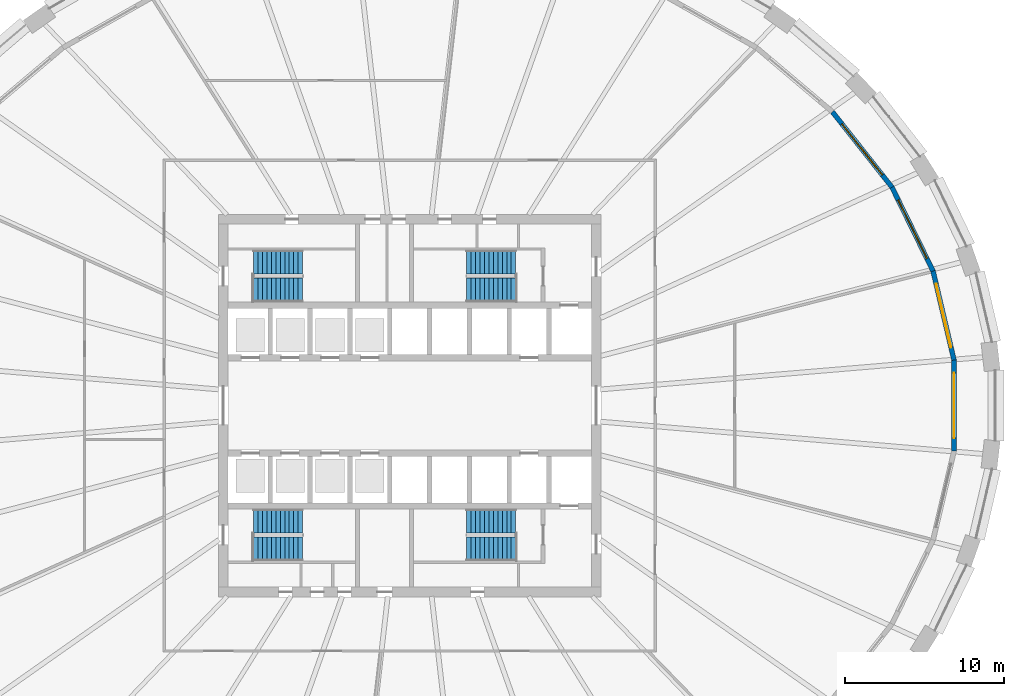
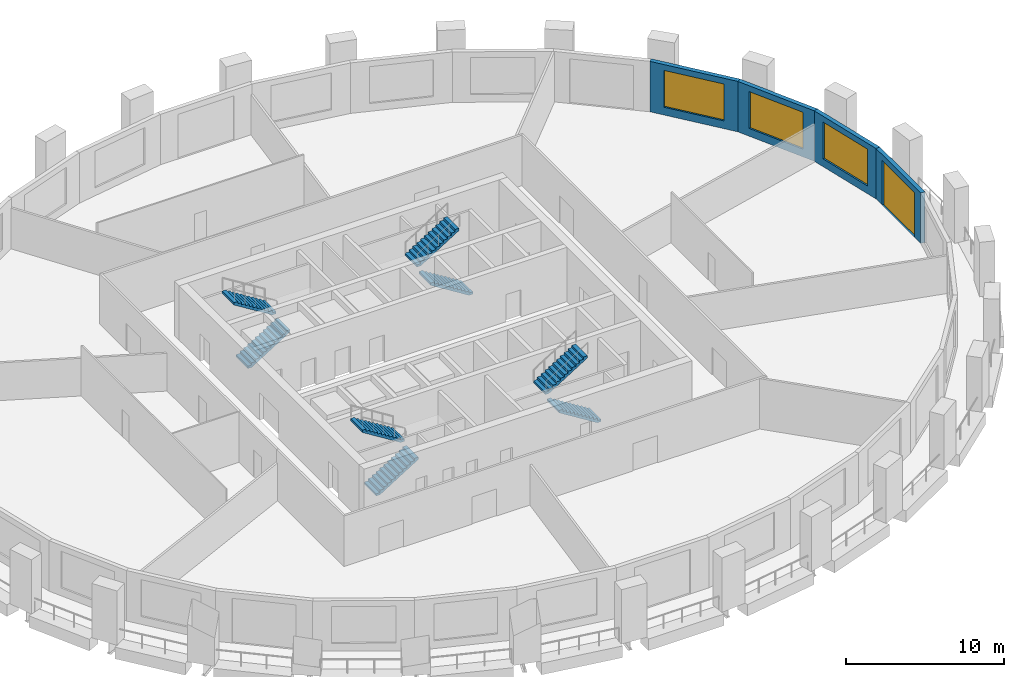
# One storey, part 7 of 10: 8 stair flights, 4 walls, 3 windows, 1 door, 4 openings, 4 elements without a shape of their own.
"""IFC4 building model written with IfcOpenShell, lengths in metres."""

from ifc_helpers import new_model, si_unit, direction, frame, frame_2d, origin, place, context, subcontext, project, spatial, polyline, rectangle, outline, extrude, material, layer, layer_set, type_object, element, fill, aggregate, save


model = new_model("IFC4")

# Units and contexts
model_context = context("Model", 3, precision=1e-05, world=origin(), true_north=direction((0.0, 1.0)))
body_context = subcontext(model_context, "Body", "Model", "MODEL_VIEW")
ifc_project = project(units=[si_unit("LENGTHUNIT", "METRE"), si_unit("AREAUNIT", "SQUARE_METRE"), si_unit("VOLUMEUNIT", "CUBIC_METRE"), si_unit("PLANEANGLEUNIT", "RADIAN"), si_unit("MASSUNIT", "GRAM", prefix="KILO")], contexts=[model_context])

# Site, building, storey
site_placement = place(None, origin())
site = spatial("IfcSite", under=ifc_project, at=site_placement, CompositionType="ELEMENT")
building_placement = place(site_placement, origin())
building = spatial("IfcBuilding", under=site, at=building_placement, Name="Halqa Exchange Tower", CompositionType="ELEMENT")
storey_placement = place(building_placement, frame((0.0, 0.0, 69.699951171875)))
storey = spatial("IfcBuildingStorey", under=building, at=storey_placement, Name="L15", CompositionType="ELEMENT", Elevation=69.699951171875)

# Wall, opening, window
ifc_material_1 = material(Name="Limestone cladding", Category="masonry")
ifc_layer_1 = layer(ifc_material_1, 0.0400390625)
ifc_material_2 = material(Name="Ventilated cavity")
ifc_layer_2 = layer(ifc_material_2, 0.030029296875, ventilated=True)
ifc_material_3 = material(Name="Mineral wool insulation")
ifc_layer_3 = layer(ifc_material_3, 0.10009765625)
ifc_material_4 = material(Name="Concrete C30/37", Category="concrete")
ifc_layer_4 = layer(ifc_material_4, 0.10009765625)
ifc_material_5 = material(Name="Internal plaster")
ifc_layer_5 = layer(ifc_material_5, 0.030029296875)
ifc_layer_set = layer_set([ifc_layer_1, ifc_layer_2, ifc_layer_3, ifc_layer_4, ifc_layer_5], Name="Stone-faced insulated wall 300")
wall_type = type_object("IfcWallType", Name="Stone-faced insulated wall 300", PredefinedType="STANDARD", material=ifc_layer_set)
wall_1_placement = place(storey_placement, frame((34.1591796875, 2.849365234375, 0.0), z_axis=(0.0, 0.0, 1.0), x_axis=(-0.22905355604, 0.973413821797, 0.0)))
wall_1 = element("IfcWall", 1, at=wall_1_placement, inside=storey, type_object=wall_type, Name="Glass-line wall 1", PredefinedType="STANDARD", context=body_context, shape_type="SweptSolid", body=[
    extrude(outline(polyline([(-0.017333984375, -0.14990234375), (5.757568359375, -0.14990234375), (5.723876953125, 0.14990234375), (0.017333984375, 0.14990234375), (-0.017333984375, -0.14990234375)])), origin(), (0.0, 0.0, 1.0), 3.900146484375),
])
opening_1_placement = place(wall_1_placement, frame((0.8203125, 0.0, 0.60009765625)))
opening_1 = element("IfcOpeningElement", 2, at=opening_1_placement, cuts=wall_1, Name="Opening W-F1-01", PredefinedType="OPENING", context=body_context, shape_type="SweptSolid", body=[
    extrude(rectangle(XDim=4.10009765625, YDim=2.85009765625, at=frame_2d((2.050048828125, 1.425048828125))), frame((0.0, 0.162109375, 0.0), z_axis=(0.0, -1.0, 0.0), x_axis=(1.0, 0.0, 0.0)), (0.0, 0.0, 1.0), 0.323974609375),
])
ifc_material_6 = material(Name="Clear low-emissivity glass in aluminium frame", Category="aluminium")
window_type = type_object("IfcWindowType", Name="Fixed clear glazed window 4100 x 2850", PartitioningType="TRIPLE_PANEL_VERTICAL", PredefinedType="WINDOW", material=ifc_material_6)
window_1_placement = place(opening_1_placement, origin())
window_1 = element("IfcWindow", 3, at=window_1_placement, inside=storey, type_object=window_type, Name="Window 1", OverallHeight=2.85009765625, OverallWidth=4.10009765625, PartitioningType="TRIPLE_PANEL_VERTICAL", PredefinedType="WINDOW", context=body_context, shape_type="SweptSolid", body=[
    extrude(rectangle(XDim=4.10009765625, YDim=2.85009765625, at=frame_2d((2.050048828125, 1.425048828125))), frame((0.0, 0.030029296875, 0.0), z_axis=(0.0, -1.0, 0.0), x_axis=(1.0, 0.0, 0.0)), (0.0, 0.0, 1.0), 0.06005859375),
])
fill(opening_1, window_1)

wall_2_placement = place(storey_placement, frame((32.84423828125, 8.4375, 0.0), z_axis=(0.0, 0.0, 1.0), x_axis=(-0.439949735177, 0.898022399786, 0.0)))
wall_2 = element("IfcWall", 4, at=wall_2_placement, inside=storey, type_object=wall_type, Name="Glass-line wall 2", PredefinedType="STANDARD", context=body_context, shape_type="SweptSolid", body=[
    extrude(outline(polyline([(-0.016845703125, -0.14990234375), (5.876220703125, -0.14990234375), (5.843994140625, 0.14990234375), (0.016845703125, 0.14990234375), (-0.016845703125, -0.14990234375)])), origin(), (0.0, 0.0, 1.0), 3.900146484375),
])
opening_2_placement = place(wall_2_placement, frame((0.8798828125, 0.0, 0.60009765625)))
opening_2 = element("IfcOpeningElement", 5, at=opening_2_placement, cuts=wall_2, Name="Opening W-F1-02", PredefinedType="OPENING", context=body_context, shape_type="SweptSolid", body=[
    extrude(rectangle(XDim=4.10009765625, YDim=2.85009765625, at=frame_2d((2.050048828125, 1.425048828125))), frame((0.0, 0.162109375, 0.0), z_axis=(0.0, -1.0, 0.0), x_axis=(1.0, 0.0, 0.0)), (0.0, 0.0, 1.0), 0.323974609375),
])
window_2_placement = place(opening_2_placement, origin())
window_2 = element("IfcWindow", 6, at=window_2_placement, inside=storey, type_object=window_type, Name="Window 1", OverallHeight=2.85009765625, OverallWidth=4.10009765625, PartitioningType="TRIPLE_PANEL_VERTICAL", PredefinedType="WINDOW", context=body_context, shape_type="SweptSolid", body=[
    extrude(rectangle(XDim=4.10009765625, YDim=2.85009765625, at=frame_2d((2.050048828125, 1.425048828125))), frame((0.0, 0.030029296875, 0.0), z_axis=(0.0, -1.0, 0.0), x_axis=(1.0, 0.0, 0.0)), (0.0, 0.0, 1.0), 0.06005859375),
])
fill(opening_2, window_2)

wall_3_placement = place(storey_placement, frame((30.26611328125, 13.699951171875, 0.0), z_axis=(0.0, 0.0, 1.0), x_axis=(-0.620065339223, 0.784550173727, 0.0)))
wall_3 = element("IfcWall", 7, at=wall_3_placement, inside=storey, type_object=wall_type, Name="Glass-line wall 3", PredefinedType="STANDARD", context=body_context, shape_type="SweptSolid", body=[
    extrude(outline(polyline([(-0.01611328125, -0.14990234375), (6.048828125, -0.14990234375), (6.0185546875, 0.14990234375), (0.01611328125, 0.14990234375), (-0.01611328125, -0.14990234375)])), origin(), (0.0, 0.0, 1.0), 3.900146484375),
])
opening_3_placement = place(wall_3_placement, frame((0.966796875, 0.0, 0.60009765625)))
opening_3 = element("IfcOpeningElement", 8, at=opening_3_placement, cuts=wall_3, Name="Opening W-F1-03", PredefinedType="OPENING", context=body_context, shape_type="SweptSolid", body=[
    extrude(rectangle(XDim=4.10009765625, YDim=2.85009765625, at=frame_2d((2.050048828125, 1.425048828125))), frame((0.0, 0.162109375, 0.0), z_axis=(0.0, -1.0, 0.0), x_axis=(1.0, 0.0, 0.0)), (0.0, 0.0, 1.0), 0.323974609375),
])
window_3_placement = place(opening_3_placement, origin())
window_3 = element("IfcWindow", 9, at=window_3_placement, inside=storey, type_object=window_type, Name="Window 1", OverallHeight=2.85009765625, OverallWidth=4.10009765625, PartitioningType="TRIPLE_PANEL_VERTICAL", PredefinedType="WINDOW", context=body_context, shape_type="SweptSolid", body=[
    extrude(rectangle(XDim=4.10009765625, YDim=2.85009765625, at=frame_2d((2.050048828125, 1.425048828125))), frame((0.0, 0.030029296875, 0.0), z_axis=(0.0, -1.0, 0.0), x_axis=(1.0, 0.0, 0.0)), (0.0, 0.0, 1.0), 0.06005859375),
])
fill(opening_3, window_3)

# Wall, opening, door
wall_4_placement = place(storey_placement, frame((34.1591796875, -2.849365234375, 0.0), z_axis=(0.0, 0.0, 1.0), x_axis=(0.0, 1.0, 0.0)))
wall_4 = element("IfcWall", 10, at=wall_4_placement, inside=storey, type_object=wall_type, Name="Glass-line wall 32", PredefinedType="STANDARD", context=body_context, shape_type="SweptSolid", body=[
    extrude(outline(polyline([(-0.017333984375, -0.14990234375), (5.716064453125, -0.14990234375), (5.681396484375, 0.14990234375), (0.017333984375, 0.14990234375), (-0.017333984375, -0.14990234375)])), origin(), (0.0, 0.0, 1.0), 3.900146484375),
])
opening_4_placement = place(wall_4_placement, frame((0.79931640625, 0.0, 0.0)))
opening_4 = element("IfcOpeningElement", 11, at=opening_4_placement, cuts=wall_4, Name="Opening LG-F1-08", PredefinedType="OPENING", context=body_context, shape_type="SweptSolid", body=[
    extrude(rectangle(XDim=4.10009765625, YDim=3.449951171875, at=frame_2d((2.050048828125, 1.72509765625))), frame((0.0, 0.162109375, 0.0), z_axis=(0.0, -1.0, 0.0), x_axis=(1.0, 0.0, 0.0)), (0.0, 0.0, 1.0), 0.323974609375),
])
door_type = type_object("IfcDoorType", Name="Glazed sliding loggia door 4100 x 3450", OperationType="DOUBLE_DOOR_SLIDING", PredefinedType="DOOR", material=ifc_material_6)
door_placement = place(opening_4_placement, origin())
door = element("IfcDoor", 12, at=door_placement, inside=storey, type_object=door_type, Name="Loggia door 8", OperationType="DOUBLE_DOOR_SLIDING", OverallHeight=3.449951171875, OverallWidth=4.10009765625, PredefinedType="DOOR", context=body_context, shape_type="SweptSolid", body=[
    extrude(rectangle(XDim=4.10009765625, YDim=3.449951171875, at=frame_2d((2.050048828125, 1.72509765625))), frame((0.0, 0.02490234375, 0.0), z_axis=(0.0, -1.0, 0.0), x_axis=(1.0, 0.0, 0.0)), (0.0, 0.0, 1.0), 0.050048828125),
])
fill(opening_4, door)

# Stair, stair flights
stair_type = type_object("IfcStairType", Name="Exit stair 1500 wide", PredefinedType="HALF_TURN_STAIR", material=ifc_material_4)
stair_1_placement = place(storey_placement, origin())
stair_1 = element("IfcStair", 13, at=stair_1_placement, inside=storey, type_object=stair_type, Name="Exit stair ST1", PredefinedType="HALF_TURN_STAIR")
stair_flight_type = type_object("IfcStairFlightType", Name="Stair flight 1500 wide", PredefinedType="STRAIGHT", material=ifc_material_4)
stair_flight_1_placement = place(storey_placement, frame((-9.800048828125, 7.25, 0.0), z_axis=(0.0, 0.0, 1.0), x_axis=(1.0, 0.0, 0.0)))
stair_flight_1 = element("IfcStairFlight", 14, at=stair_flight_1_placement, type_object=stair_flight_type, Name="ST1 flight 1", NumberOfRisers=12, NumberOfTreads=11, PredefinedType="STRAIGHT", RiserHeight=0.175, TreadLength=0.28, context=body_context, shape_type="SweptSolid", body=[
    extrude(outline(polyline([(0.0, 0.0), (0.0, 0.175048828125), (0.280029296875, 0.175048828125), (0.280029296875, 0.35009765625), (0.56005859375, 0.35009765625), (0.56005859375, 0.52490234375), (0.840087890625, 0.52490234375), (0.840087890625, 0.699951171875), (1.1201171875, 0.699951171875), (1.1201171875, 0.875), (1.39990234375, 0.875), (1.39990234375, 1.050048828125), (1.679931640625, 1.050048828125), (1.679931640625, 1.22509765625), (1.9599609375, 1.22509765625), (1.9599609375, 1.39990234375), (2.239990234375, 1.39990234375), (2.239990234375, 1.574951171875), (2.52001953125, 1.574951171875), (2.52001953125, 1.75), (2.800048828125, 1.75), (2.800048828125, 1.925048828125), (3.080078125, 1.925048828125), (3.080078125, 2.10009765625), (3.080078125, 1.748291015625), (0.28271484375, 0.0), (0.0, 0.0)])), frame((0.0, 0.75, 0.0), z_axis=(0.0, -1.0, 0.0), x_axis=(1.0, 0.0, 0.0)), (0.0, 0.0, 1.0), 1.5),
])
stair_flight_2_placement = place(storey_placement, frame((-6.719970703125, 9.0, 2.10009765625), z_axis=(0.0, 0.0, 1.0), x_axis=(-1.0, 0.0, 0.0)))
stair_flight_2 = element("IfcStairFlight", 15, at=stair_flight_2_placement, type_object=stair_flight_type, Name="ST1 flight 2", NumberOfRisers=12, NumberOfTreads=11, PredefinedType="STRAIGHT", RiserHeight=0.175, TreadLength=0.28, context=body_context, shape_type="SweptSolid", body=[
    extrude(outline(polyline([(0.0, 0.0), (0.0, 0.175048828125), (0.280029296875, 0.175048828125), (0.280029296875, 0.35009765625), (0.56005859375, 0.35009765625), (0.56005859375, 0.52490234375), (0.840087890625, 0.52490234375), (0.840087890625, 0.699951171875), (1.1201171875, 0.699951171875), (1.1201171875, 0.875), (1.39990234375, 0.875), (1.39990234375, 1.050048828125), (1.679931640625, 1.050048828125), (1.679931640625, 1.22509765625), (1.9599609375, 1.22509765625), (1.9599609375, 1.39990234375), (2.239990234375, 1.39990234375), (2.239990234375, 1.574951171875), (2.52001953125, 1.574951171875), (2.52001953125, 1.75), (2.800048828125, 1.75), (2.800048828125, 1.925048828125), (3.080078125, 1.925048828125), (3.080078125, 2.10009765625), (3.080078125, 1.748291015625), (0.28271484375, 0.0), (0.0, 0.0)])), frame((0.0, 0.75, 0.0), z_axis=(0.0, -1.0, 0.0), x_axis=(1.0, 0.0, 0.0)), (0.0, 0.0, 1.0), 1.5),
])
aggregate(stair_1, [stair_flight_1, stair_flight_2])

stair_2_placement = place(storey_placement, origin())
stair_2 = element("IfcStair", 16, at=stair_2_placement, inside=storey, type_object=stair_type, Name="Exit stair ST2", PredefinedType="HALF_TURN_STAIR")
stair_flight_3_placement = place(storey_placement, frame((6.64990234375, 7.25, 0.0), z_axis=(0.0, 0.0, 1.0), x_axis=(-1.0, 0.0, 0.0)))
stair_flight_3 = element("IfcStairFlight", 17, at=stair_flight_3_placement, type_object=stair_flight_type, Name="ST2 flight 1", NumberOfRisers=12, NumberOfTreads=11, PredefinedType="STRAIGHT", RiserHeight=0.175, TreadLength=0.28, context=body_context, shape_type="SweptSolid", body=[
    extrude(outline(polyline([(0.0, 0.0), (0.0, 0.175048828125), (0.280029296875, 0.175048828125), (0.280029296875, 0.35009765625), (0.56005859375, 0.35009765625), (0.56005859375, 0.52490234375), (0.840087890625, 0.52490234375), (0.840087890625, 0.699951171875), (1.1201171875, 0.699951171875), (1.1201171875, 0.875), (1.39990234375, 0.875), (1.39990234375, 1.050048828125), (1.679931640625, 1.050048828125), (1.679931640625, 1.22509765625), (1.9599609375, 1.22509765625), (1.9599609375, 1.39990234375), (2.239990234375, 1.39990234375), (2.239990234375, 1.574951171875), (2.52001953125, 1.574951171875), (2.52001953125, 1.75), (2.800048828125, 1.75), (2.800048828125, 1.925048828125), (3.080078125, 1.925048828125), (3.080078125, 2.10009765625), (3.080078125, 1.748291015625), (0.28271484375, 0.0), (0.0, 0.0)])), frame((0.0, 0.75, 0.0), z_axis=(0.0, -1.0, 0.0), x_axis=(1.0, 0.0, 0.0)), (0.0, 0.0, 1.0), 1.5),
])
stair_flight_4_placement = place(storey_placement, frame((3.570068359375, 9.0, 2.10009765625), z_axis=(0.0, 0.0, 1.0), x_axis=(1.0, 0.0, 0.0)))
stair_flight_4 = element("IfcStairFlight", 18, at=stair_flight_4_placement, type_object=stair_flight_type, Name="ST2 flight 2", NumberOfRisers=12, NumberOfTreads=11, PredefinedType="STRAIGHT", RiserHeight=0.175, TreadLength=0.28, context=body_context, shape_type="SweptSolid", body=[
    extrude(outline(polyline([(0.0, 0.0), (0.0, 0.175048828125), (0.280029296875, 0.175048828125), (0.280029296875, 0.35009765625), (0.56005859375, 0.35009765625), (0.56005859375, 0.52490234375), (0.840087890625, 0.52490234375), (0.840087890625, 0.699951171875), (1.1201171875, 0.699951171875), (1.1201171875, 0.875), (1.39990234375, 0.875), (1.39990234375, 1.050048828125), (1.679931640625, 1.050048828125), (1.679931640625, 1.22509765625), (1.9599609375, 1.22509765625), (1.9599609375, 1.39990234375), (2.239990234375, 1.39990234375), (2.239990234375, 1.574951171875), (2.52001953125, 1.574951171875), (2.52001953125, 1.75), (2.800048828125, 1.75), (2.800048828125, 1.925048828125), (3.080078125, 1.925048828125), (3.080078125, 2.10009765625), (3.080078125, 1.748291015625), (0.28271484375, 0.0), (0.0, 0.0)])), frame((0.0, 0.75, 0.0), z_axis=(0.0, -1.0, 0.0), x_axis=(1.0, 0.0, 0.0)), (0.0, 0.0, 1.0), 1.5),
])
aggregate(stair_2, [stair_flight_3, stair_flight_4])

stair_3_placement = place(storey_placement, origin())
stair_3 = element("IfcStair", 19, at=stair_3_placement, inside=storey, type_object=stair_type, Name="Exit stair ST3", PredefinedType="HALF_TURN_STAIR")
stair_flight_5_placement = place(storey_placement, frame((-9.800048828125, -9.0, 0.0), z_axis=(0.0, 0.0, 1.0), x_axis=(1.0, 0.0, 0.0)))
stair_flight_5 = element("IfcStairFlight", 20, at=stair_flight_5_placement, type_object=stair_flight_type, Name="ST3 flight 1", NumberOfRisers=12, NumberOfTreads=11, PredefinedType="STRAIGHT", RiserHeight=0.175, TreadLength=0.28, context=body_context, shape_type="SweptSolid", body=[
    extrude(outline(polyline([(0.0, 0.0), (0.0, 0.175048828125), (0.280029296875, 0.175048828125), (0.280029296875, 0.35009765625), (0.56005859375, 0.35009765625), (0.56005859375, 0.52490234375), (0.840087890625, 0.52490234375), (0.840087890625, 0.699951171875), (1.1201171875, 0.699951171875), (1.1201171875, 0.875), (1.39990234375, 0.875), (1.39990234375, 1.050048828125), (1.679931640625, 1.050048828125), (1.679931640625, 1.22509765625), (1.9599609375, 1.22509765625), (1.9599609375, 1.39990234375), (2.239990234375, 1.39990234375), (2.239990234375, 1.574951171875), (2.52001953125, 1.574951171875), (2.52001953125, 1.75), (2.800048828125, 1.75), (2.800048828125, 1.925048828125), (3.080078125, 1.925048828125), (3.080078125, 2.10009765625), (3.080078125, 1.748291015625), (0.28271484375, 0.0), (0.0, 0.0)])), frame((0.0, 0.75, 0.0), z_axis=(0.0, -1.0, 0.0), x_axis=(1.0, 0.0, 0.0)), (0.0, 0.0, 1.0), 1.5),
])
stair_flight_6_placement = place(storey_placement, frame((-6.719970703125, -7.25, 2.10009765625), z_axis=(0.0, 0.0, 1.0), x_axis=(-1.0, 0.0, 0.0)))
stair_flight_6 = element("IfcStairFlight", 21, at=stair_flight_6_placement, type_object=stair_flight_type, Name="ST3 flight 2", NumberOfRisers=12, NumberOfTreads=11, PredefinedType="STRAIGHT", RiserHeight=0.175, TreadLength=0.28, context=body_context, shape_type="SweptSolid", body=[
    extrude(outline(polyline([(0.0, 0.0), (0.0, 0.175048828125), (0.280029296875, 0.175048828125), (0.280029296875, 0.35009765625), (0.56005859375, 0.35009765625), (0.56005859375, 0.52490234375), (0.840087890625, 0.52490234375), (0.840087890625, 0.699951171875), (1.1201171875, 0.699951171875), (1.1201171875, 0.875), (1.39990234375, 0.875), (1.39990234375, 1.050048828125), (1.679931640625, 1.050048828125), (1.679931640625, 1.22509765625), (1.9599609375, 1.22509765625), (1.9599609375, 1.39990234375), (2.239990234375, 1.39990234375), (2.239990234375, 1.574951171875), (2.52001953125, 1.574951171875), (2.52001953125, 1.75), (2.800048828125, 1.75), (2.800048828125, 1.925048828125), (3.080078125, 1.925048828125), (3.080078125, 2.10009765625), (3.080078125, 1.748291015625), (0.28271484375, 0.0), (0.0, 0.0)])), frame((0.0, 0.75, 0.0), z_axis=(0.0, -1.0, 0.0), x_axis=(1.0, 0.0, 0.0)), (0.0, 0.0, 1.0), 1.5),
])
aggregate(stair_3, [stair_flight_5, stair_flight_6])

stair_4_placement = place(storey_placement, origin())
stair_4 = element("IfcStair", 22, at=stair_4_placement, inside=storey, type_object=stair_type, Name="Exit stair ST4", PredefinedType="HALF_TURN_STAIR")
stair_flight_7_placement = place(storey_placement, frame((6.64990234375, -9.0, 0.0), z_axis=(0.0, 0.0, 1.0), x_axis=(-1.0, 0.0, 0.0)))
stair_flight_7 = element("IfcStairFlight", 23, at=stair_flight_7_placement, type_object=stair_flight_type, Name="ST4 flight 1", NumberOfRisers=12, NumberOfTreads=11, PredefinedType="STRAIGHT", RiserHeight=0.175, TreadLength=0.28, context=body_context, shape_type="SweptSolid", body=[
    extrude(outline(polyline([(0.0, 0.0), (0.0, 0.175048828125), (0.280029296875, 0.175048828125), (0.280029296875, 0.35009765625), (0.56005859375, 0.35009765625), (0.56005859375, 0.52490234375), (0.840087890625, 0.52490234375), (0.840087890625, 0.699951171875), (1.1201171875, 0.699951171875), (1.1201171875, 0.875), (1.39990234375, 0.875), (1.39990234375, 1.050048828125), (1.679931640625, 1.050048828125), (1.679931640625, 1.22509765625), (1.9599609375, 1.22509765625), (1.9599609375, 1.39990234375), (2.239990234375, 1.39990234375), (2.239990234375, 1.574951171875), (2.52001953125, 1.574951171875), (2.52001953125, 1.75), (2.800048828125, 1.75), (2.800048828125, 1.925048828125), (3.080078125, 1.925048828125), (3.080078125, 2.10009765625), (3.080078125, 1.748291015625), (0.28271484375, 0.0), (0.0, 0.0)])), frame((0.0, 0.75, 0.0), z_axis=(0.0, -1.0, 0.0), x_axis=(1.0, 0.0, 0.0)), (0.0, 0.0, 1.0), 1.5),
])
stair_flight_8_placement = place(storey_placement, frame((3.570068359375, -7.25, 2.10009765625), z_axis=(0.0, 0.0, 1.0), x_axis=(1.0, 0.0, 0.0)))
stair_flight_8 = element("IfcStairFlight", 24, at=stair_flight_8_placement, type_object=stair_flight_type, Name="ST4 flight 2", NumberOfRisers=12, NumberOfTreads=11, PredefinedType="STRAIGHT", RiserHeight=0.175, TreadLength=0.28, context=body_context, shape_type="SweptSolid", body=[
    extrude(outline(polyline([(0.0, 0.0), (0.0, 0.175048828125), (0.280029296875, 0.175048828125), (0.280029296875, 0.35009765625), (0.56005859375, 0.35009765625), (0.56005859375, 0.52490234375), (0.840087890625, 0.52490234375), (0.840087890625, 0.699951171875), (1.1201171875, 0.699951171875), (1.1201171875, 0.875), (1.39990234375, 0.875), (1.39990234375, 1.050048828125), (1.679931640625, 1.050048828125), (1.679931640625, 1.22509765625), (1.9599609375, 1.22509765625), (1.9599609375, 1.39990234375), (2.239990234375, 1.39990234375), (2.239990234375, 1.574951171875), (2.52001953125, 1.574951171875), (2.52001953125, 1.75), (2.800048828125, 1.75), (2.800048828125, 1.925048828125), (3.080078125, 1.925048828125), (3.080078125, 2.10009765625), (3.080078125, 1.748291015625), (0.28271484375, 0.0), (0.0, 0.0)])), frame((0.0, 0.75, 0.0), z_axis=(0.0, -1.0, 0.0), x_axis=(1.0, 0.0, 0.0)), (0.0, 0.0, 1.0), 1.5),
])
aggregate(stair_4, [stair_flight_7, stair_flight_8])

save(model, "model.ifc")
